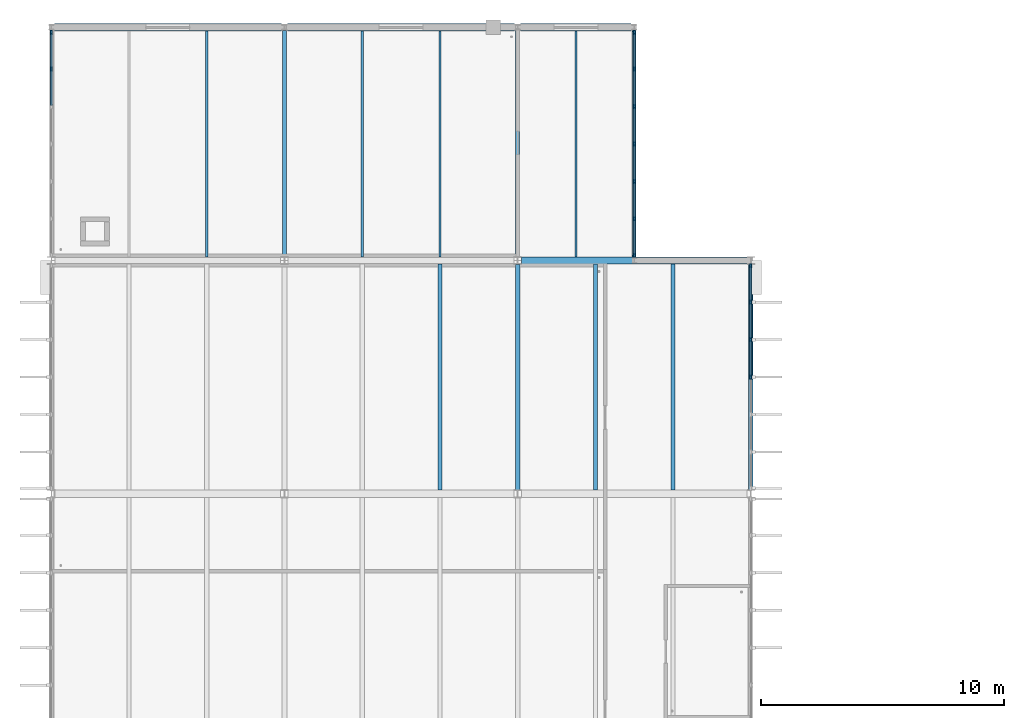
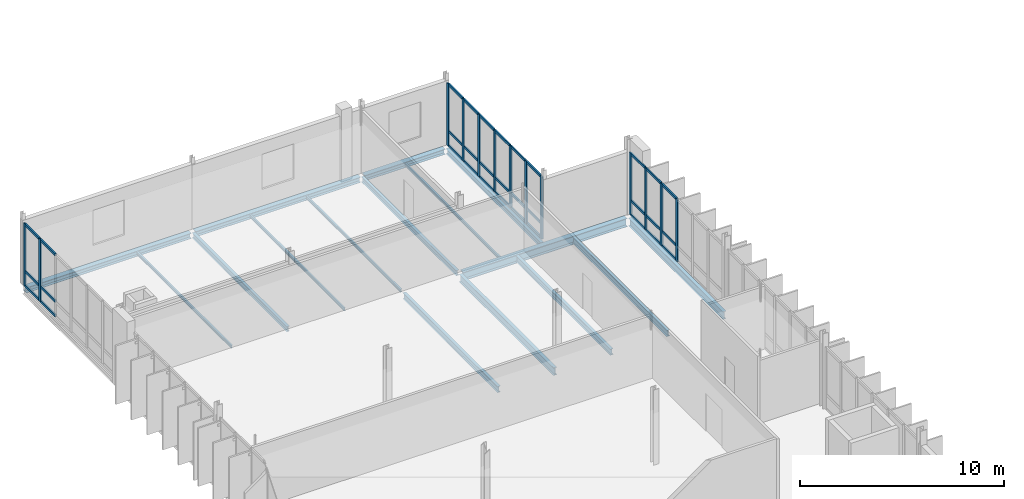
# One storey, part 42 of 110: 46 members, 16 beams, 3 elements without a shape of their own.
"""IFC4 building model written with IfcOpenShell, lengths in metres."""

from ifc_helpers import new_model, si_unit, direction, frame, origin, origin_2d, place, context, subcontext, project, spatial, rectangle, i_section, extrude, material, material_profile, profile_set, type_object, element, aggregate, save


model = new_model("IFC4")

# Units and contexts
model_context = context("Model", 3, precision=1e-05, world=origin(), true_north=direction((0.0, 1.0)))
body_context = subcontext(model_context, "Body", "Model", "MODEL_VIEW")
ifc_project = project(units=[si_unit("LENGTHUNIT", "METRE"), si_unit("AREAUNIT", "SQUARE_METRE"), si_unit("VOLUMEUNIT", "CUBIC_METRE"), si_unit("PLANEANGLEUNIT", "RADIAN"), si_unit("MASSUNIT", "GRAM", prefix="KILO")], contexts=[model_context])

# Site, building, storey
site_placement = place(None, origin())
site = spatial("IfcSite", under=ifc_project, at=site_placement, CompositionType="ELEMENT")
building_placement = place(site_placement, origin())
building = spatial("IfcBuilding", under=site, at=building_placement, Name="Dunescarp Central Library", CompositionType="ELEMENT")
storey_placement = place(building_placement, frame((0.0, 0.0, 9.60009765625)))
storey = spatial("IfcBuildingStorey", under=building, at=storey_placement, Name="L02", CompositionType="ELEMENT", Elevation=9.60009765625)

# Curtain wall, members
ifc_material_1 = material(Name="Marine-grade anodised aluminium 6063-T6", Category="aluminium")
curtain_wall_type = type_object("IfcCurtainWallType", Name="ARC-CW-STICK", PredefinedType="NOTDEFINED", material=ifc_material_1)
curtain_wall_1_placement = place(storey_placement, origin())
curtain_wall_1 = element("IfcCurtainWall", 1, at=curtain_wall_1_placement, inside=storey, type_object=curtain_wall_type, Name="L02 curtain wall CW-V4-129", PredefinedType="NOTDEFINED")
ifc_material_profile_1 = material_profile(ifc_material_1, rectangle(XDim=0.080078125, YDim=0.179931640625, at=origin_2d()), Name="AL 80x180")
ifc_profile_set_1 = profile_set([ifc_material_profile_1], Name="Marine-grade anodised aluminium 6063-T6")
member_type_1 = type_object("IfcMemberType", Name="ARC-CWM-180", PredefinedType="MULLION", material=ifc_profile_set_1)
member_1_placement = place(storey_placement, frame((28.800048828125, 89.385009765625, 0.0), z_axis=(0.0, 0.0, 1.0), x_axis=(1.0, 0.0, 0.0)))
member_1 = element("IfcMember", 2, at=member_1_placement, type_object=member_type_1, Name="CW-V4-129 mullion 1", PredefinedType="MULLION", context=body_context, shape_type="SweptSolid", body=[
    extrude(rectangle(XDim=0.080078125, YDim=0.179931640625, at=origin_2d()), origin(), (0.0, 0.0, 1.0), 3.73486328125),
])
member_2_placement = place(storey_placement, frame((28.800048828125, 87.88330078125, 0.0), z_axis=(0.0, 0.0, 1.0), x_axis=(1.0, 0.0, 0.0)))
member_2 = element("IfcMember", 3, at=member_2_placement, type_object=member_type_1, Name="CW-V4-129 mullion 2", PredefinedType="MULLION", context=body_context, shape_type="SweptSolid", body=[
    extrude(rectangle(XDim=0.080078125, YDim=0.179931640625, at=origin_2d()), origin(), (0.0, 0.0, 1.0), 3.73486328125),
])
member_3_placement = place(storey_placement, frame((28.800048828125, 86.341552734375, 0.0), z_axis=(0.0, 0.0, 1.0), x_axis=(1.0, 0.0, 0.0)))
member_3 = element("IfcMember", 4, at=member_3_placement, type_object=member_type_1, Name="CW-V4-129 mullion 3", PredefinedType="MULLION", context=body_context, shape_type="SweptSolid", body=[
    extrude(rectangle(XDim=0.080078125, YDim=0.179931640625, at=origin_2d()), origin(), (0.0, 0.0, 1.0), 3.73486328125),
])
member_4_placement = place(storey_placement, frame((28.800048828125, 84.800048828125, 0.0), z_axis=(0.0, 0.0, 1.0), x_axis=(1.0, 0.0, 0.0)))
member_4 = element("IfcMember", 5, at=member_4_placement, type_object=member_type_1, Name="CW-V4-129 mullion 4", PredefinedType="MULLION", context=body_context, shape_type="SweptSolid", body=[
    extrude(rectangle(XDim=0.080078125, YDim=0.179931640625, at=origin_2d()), origin(), (0.0, 0.0, 1.0), 3.73486328125),
])

curtain_wall_2_placement = place(storey_placement, origin())
curtain_wall_2 = element("IfcCurtainWall", 6, at=curtain_wall_2_placement, inside=storey, type_object=curtain_wall_type, Name="L02 curtain wall CW-V4N-144", PredefinedType="NOTDEFINED")
member_5_placement = place(storey_placement, frame((0.0, 97.4833984375, 0.0), z_axis=(0.0, 0.0, 1.0), x_axis=(-1.0, 0.0, 0.0)))
member_5 = element("IfcMember", 7, at=member_5_placement, type_object=member_type_1, Name="CW-V4N-144 mullion 6", PredefinedType="MULLION", context=body_context, shape_type="SweptSolid", body=[
    extrude(rectangle(XDim=0.080078125, YDim=0.179931640625, at=origin_2d()), origin(), (0.0, 0.0, 1.0), 3.73486328125),
])
member_6_placement = place(storey_placement, frame((0.0, 98.985107421875, 0.0), z_axis=(0.0, 0.0, 1.0), x_axis=(-1.0, 0.0, 0.0)))
member_6 = element("IfcMember", 8, at=member_6_placement, type_object=member_type_1, Name="CW-V4N-144 mullion 7", PredefinedType="MULLION", context=body_context, shape_type="SweptSolid", body=[
    extrude(rectangle(XDim=0.080078125, YDim=0.179931640625, at=origin_2d()), origin(), (0.0, 0.0, 1.0), 3.73486328125),
])

curtain_wall_3_placement = place(storey_placement, origin())
curtain_wall_3 = element("IfcCurtainWall", 9, at=curtain_wall_3_placement, inside=storey, type_object=curtain_wall_type, Name="L02 curtain wall CW-V4N-145", PredefinedType="NOTDEFINED")
member_7_placement = place(storey_placement, frame((24.0, 98.985107421875, 0.0), z_axis=(0.0, 0.0, 1.0), x_axis=(1.0, 0.0, 0.0)))
member_7 = element("IfcMember", 10, at=member_7_placement, type_object=member_type_1, Name="CW-V4N-145 mullion 1", PredefinedType="MULLION", context=body_context, shape_type="SweptSolid", body=[
    extrude(rectangle(XDim=0.080078125, YDim=0.179931640625, at=origin_2d()), origin(), (0.0, 0.0, 1.0), 3.73486328125),
])
member_8_placement = place(storey_placement, frame((24.0, 97.4833984375, 0.0), z_axis=(0.0, 0.0, 1.0), x_axis=(1.0, 0.0, 0.0)))
member_8 = element("IfcMember", 11, at=member_8_placement, type_object=member_type_1, Name="CW-V4N-145 mullion 2", PredefinedType="MULLION", context=body_context, shape_type="SweptSolid", body=[
    extrude(rectangle(XDim=0.080078125, YDim=0.179931640625, at=origin_2d()), origin(), (0.0, 0.0, 1.0), 3.73486328125),
])
member_9_placement = place(storey_placement, frame((24.0, 95.941650390625, 0.0), z_axis=(0.0, 0.0, 1.0), x_axis=(1.0, 0.0, 0.0)))
member_9 = element("IfcMember", 12, at=member_9_placement, type_object=member_type_1, Name="CW-V4N-145 mullion 3", PredefinedType="MULLION", context=body_context, shape_type="SweptSolid", body=[
    extrude(rectangle(XDim=0.080078125, YDim=0.179931640625, at=origin_2d()), origin(), (0.0, 0.0, 1.0), 3.73486328125),
])
member_10_placement = place(storey_placement, frame((24.0, 94.39990234375, 0.0), z_axis=(0.0, 0.0, 1.0), x_axis=(1.0, 0.0, 0.0)))
member_10 = element("IfcMember", 13, at=member_10_placement, type_object=member_type_1, Name="CW-V4N-145 mullion 4", PredefinedType="MULLION", context=body_context, shape_type="SweptSolid", body=[
    extrude(rectangle(XDim=0.080078125, YDim=0.179931640625, at=origin_2d()), origin(), (0.0, 0.0, 1.0), 3.73486328125),
])
member_11_placement = place(storey_placement, frame((24.0, 92.8583984375, 0.0), z_axis=(0.0, 0.0, 1.0), x_axis=(1.0, 0.0, 0.0)))
member_11 = element("IfcMember", 14, at=member_11_placement, type_object=member_type_1, Name="CW-V4N-145 mullion 5", PredefinedType="MULLION", context=body_context, shape_type="SweptSolid", body=[
    extrude(rectangle(XDim=0.080078125, YDim=0.179931640625, at=origin_2d()), origin(), (0.0, 0.0, 1.0), 3.73486328125),
])
member_12_placement = place(storey_placement, frame((24.0, 91.316650390625, 0.0), z_axis=(0.0, 0.0, 1.0), x_axis=(1.0, 0.0, 0.0)))
member_12 = element("IfcMember", 15, at=member_12_placement, type_object=member_type_1, Name="CW-V4N-145 mullion 6", PredefinedType="MULLION", context=body_context, shape_type="SweptSolid", body=[
    extrude(rectangle(XDim=0.080078125, YDim=0.179931640625, at=origin_2d()), origin(), (0.0, 0.0, 1.0), 3.73486328125),
])
member_13_placement = place(storey_placement, frame((24.0, 89.81494140625, 0.0), z_axis=(0.0, 0.0, 1.0), x_axis=(1.0, 0.0, 0.0)))
member_13 = element("IfcMember", 16, at=member_13_placement, type_object=member_type_1, Name="CW-V4N-145 mullion 7", PredefinedType="MULLION", context=body_context, shape_type="SweptSolid", body=[
    extrude(rectangle(XDim=0.080078125, YDim=0.179931640625, at=origin_2d()), origin(), (0.0, 0.0, 1.0), 3.73486328125),
])

# Member
ifc_material_profile_2 = material_profile(ifc_material_1, rectangle(XDim=0.080078125, YDim=0.14990234375, at=origin_2d()), Name="AL 80x150")
ifc_profile_set_2 = profile_set([ifc_material_profile_2], Name="Marine-grade anodised aluminium 6063-T6")
member_type_2 = type_object("IfcMemberType", Name="ARC-CWT-150", PredefinedType="USERDEFINED", material=ifc_profile_set_2)
member_14_placement = place(storey_placement, frame((28.800048828125, 89.344970703125, 0.039794921875), z_axis=(0.0, -1.0, 0.0), x_axis=(1.0, 0.0, 0.0)))
member_14 = element("IfcMember", 17, at=member_14_placement, type_object=member_type_2, Name="CW-V4-129 transom 1.1", ObjectType="TRANSOM", PredefinedType="USERDEFINED", context=body_context, shape_type="SweptSolid", body=[
    extrude(rectangle(XDim=0.080078125, YDim=0.14990234375, at=origin_2d()), origin(), (0.0, 0.0, 1.0), 1.421630859375),
])

member_15_placement = place(storey_placement, frame((28.800048828125, 89.344970703125, 0.89990234375), z_axis=(0.0, -1.0, 0.0), x_axis=(1.0, 0.0, 0.0)))
member_15 = element("IfcMember", 18, at=member_15_placement, type_object=member_type_2, Name="CW-V4-129 transom 1.2", ObjectType="TRANSOM", PredefinedType="USERDEFINED", context=body_context, shape_type="SweptSolid", body=[
    extrude(rectangle(XDim=0.080078125, YDim=0.14990234375, at=origin_2d()), origin(), (0.0, 0.0, 1.0), 1.421630859375),
])

member_16_placement = place(storey_placement, frame((28.800048828125, 89.344970703125, 3.69482421875), z_axis=(0.0, -1.0, 0.0), x_axis=(1.0, 0.0, 0.0)))
member_16 = element("IfcMember", 19, at=member_16_placement, type_object=member_type_2, Name="CW-V4-129 transom 1.3", ObjectType="TRANSOM", PredefinedType="USERDEFINED", context=body_context, shape_type="SweptSolid", body=[
    extrude(rectangle(XDim=0.080078125, YDim=0.14990234375, at=origin_2d()), origin(), (0.0, 0.0, 1.0), 1.421630859375),
])

member_17_placement = place(storey_placement, frame((28.800048828125, 87.84326171875, 0.039794921875), z_axis=(0.0, -1.0, 0.0), x_axis=(1.0, 0.0, 0.0)))
member_17 = element("IfcMember", 20, at=member_17_placement, type_object=member_type_2, Name="CW-V4-129 transom 2.1", ObjectType="TRANSOM", PredefinedType="USERDEFINED", context=body_context, shape_type="SweptSolid", body=[
    extrude(rectangle(XDim=0.080078125, YDim=0.14990234375, at=origin_2d()), origin(), (0.0, 0.0, 1.0), 1.461669921875),
])

member_18_placement = place(storey_placement, frame((28.800048828125, 87.84326171875, 0.89990234375), z_axis=(0.0, -1.0, 0.0), x_axis=(1.0, 0.0, 0.0)))
member_18 = element("IfcMember", 21, at=member_18_placement, type_object=member_type_2, Name="CW-V4-129 transom 2.2", ObjectType="TRANSOM", PredefinedType="USERDEFINED", context=body_context, shape_type="SweptSolid", body=[
    extrude(rectangle(XDim=0.080078125, YDim=0.14990234375, at=origin_2d()), origin(), (0.0, 0.0, 1.0), 1.461669921875),
])

member_19_placement = place(storey_placement, frame((28.800048828125, 87.84326171875, 3.69482421875), z_axis=(0.0, -1.0, 0.0), x_axis=(1.0, 0.0, 0.0)))
member_19 = element("IfcMember", 22, at=member_19_placement, type_object=member_type_2, Name="CW-V4-129 transom 2.3", ObjectType="TRANSOM", PredefinedType="USERDEFINED", context=body_context, shape_type="SweptSolid", body=[
    extrude(rectangle(XDim=0.080078125, YDim=0.14990234375, at=origin_2d()), origin(), (0.0, 0.0, 1.0), 1.461669921875),
])

member_20_placement = place(storey_placement, frame((28.800048828125, 86.3017578125, 0.039794921875), z_axis=(0.0, -1.0, 0.0), x_axis=(1.0, 0.0, 0.0)))
member_20 = element("IfcMember", 23, at=member_20_placement, type_object=member_type_2, Name="CW-V4-129 transom 3.1", ObjectType="TRANSOM", PredefinedType="USERDEFINED", context=body_context, shape_type="SweptSolid", body=[
    extrude(rectangle(XDim=0.080078125, YDim=0.14990234375, at=origin_2d()), origin(), (0.0, 0.0, 1.0), 1.461669921875),
])

member_21_placement = place(storey_placement, frame((28.800048828125, 86.3017578125, 0.89990234375), z_axis=(0.0, -1.0, 0.0), x_axis=(1.0, 0.0, 0.0)))
member_21 = element("IfcMember", 24, at=member_21_placement, type_object=member_type_2, Name="CW-V4-129 transom 3.2", ObjectType="TRANSOM", PredefinedType="USERDEFINED", context=body_context, shape_type="SweptSolid", body=[
    extrude(rectangle(XDim=0.080078125, YDim=0.14990234375, at=origin_2d()), origin(), (0.0, 0.0, 1.0), 1.461669921875),
])

member_22_placement = place(storey_placement, frame((28.800048828125, 86.3017578125, 3.69482421875), z_axis=(0.0, -1.0, 0.0), x_axis=(1.0, 0.0, 0.0)))
member_22 = element("IfcMember", 25, at=member_22_placement, type_object=member_type_2, Name="CW-V4-129 transom 3.3", ObjectType="TRANSOM", PredefinedType="USERDEFINED", context=body_context, shape_type="SweptSolid", body=[
    extrude(rectangle(XDim=0.080078125, YDim=0.14990234375, at=origin_2d()), origin(), (0.0, 0.0, 1.0), 1.461669921875),
])

aggregate(curtain_wall_1, [member_1, member_2, member_3, member_4, member_14, member_15, member_16, member_17, member_18, member_19, member_20, member_21, member_22])

member_23_placement = place(storey_placement, frame((0.0, 95.981689453125, 0.039794921875), z_axis=(0.0, 1.0, 0.0), x_axis=(-1.0, 0.0, 0.0)))
member_23 = element("IfcMember", 26, at=member_23_placement, type_object=member_type_2, Name="CW-V4N-144 transom 5.1", ObjectType="TRANSOM", PredefinedType="USERDEFINED", context=body_context, shape_type="SweptSolid", body=[
    extrude(rectangle(XDim=0.080078125, YDim=0.14990234375, at=origin_2d()), origin(), (0.0, 0.0, 1.0), 1.461669921875),
])

member_24_placement = place(storey_placement, frame((0.0, 95.981689453125, 0.89990234375), z_axis=(0.0, 1.0, 0.0), x_axis=(-1.0, 0.0, 0.0)))
member_24 = element("IfcMember", 27, at=member_24_placement, type_object=member_type_2, Name="CW-V4N-144 transom 5.2", ObjectType="TRANSOM", PredefinedType="USERDEFINED", context=body_context, shape_type="SweptSolid", body=[
    extrude(rectangle(XDim=0.080078125, YDim=0.14990234375, at=origin_2d()), origin(), (0.0, 0.0, 1.0), 1.461669921875),
])

member_25_placement = place(storey_placement, frame((0.0, 95.981689453125, 3.69482421875), z_axis=(0.0, 1.0, 0.0), x_axis=(-1.0, 0.0, 0.0)))
member_25 = element("IfcMember", 28, at=member_25_placement, type_object=member_type_2, Name="CW-V4N-144 transom 5.3", ObjectType="TRANSOM", PredefinedType="USERDEFINED", context=body_context, shape_type="SweptSolid", body=[
    extrude(rectangle(XDim=0.080078125, YDim=0.14990234375, at=origin_2d()), origin(), (0.0, 0.0, 1.0), 1.461669921875),
])

member_26_placement = place(storey_placement, frame((0.0, 97.5234375, 0.039794921875), z_axis=(0.0, 1.0, 0.0), x_axis=(-1.0, 0.0, 0.0)))
member_26 = element("IfcMember", 29, at=member_26_placement, type_object=member_type_2, Name="CW-V4N-144 transom 6.1", ObjectType="TRANSOM", PredefinedType="USERDEFINED", context=body_context, shape_type="SweptSolid", body=[
    extrude(rectangle(XDim=0.080078125, YDim=0.14990234375, at=origin_2d()), origin(), (0.0, 0.0, 1.0), 1.421630859375),
])

member_27_placement = place(storey_placement, frame((0.0, 97.5234375, 0.89990234375), z_axis=(0.0, 1.0, 0.0), x_axis=(-1.0, 0.0, 0.0)))
member_27 = element("IfcMember", 30, at=member_27_placement, type_object=member_type_2, Name="CW-V4N-144 transom 6.2", ObjectType="TRANSOM", PredefinedType="USERDEFINED", context=body_context, shape_type="SweptSolid", body=[
    extrude(rectangle(XDim=0.080078125, YDim=0.14990234375, at=origin_2d()), origin(), (0.0, 0.0, 1.0), 1.421630859375),
])

member_28_placement = place(storey_placement, frame((0.0, 97.5234375, 3.69482421875), z_axis=(0.0, 1.0, 0.0), x_axis=(-1.0, 0.0, 0.0)))
member_28 = element("IfcMember", 31, at=member_28_placement, type_object=member_type_2, Name="CW-V4N-144 transom 6.3", ObjectType="TRANSOM", PredefinedType="USERDEFINED", context=body_context, shape_type="SweptSolid", body=[
    extrude(rectangle(XDim=0.080078125, YDim=0.14990234375, at=origin_2d()), origin(), (0.0, 0.0, 1.0), 1.421630859375),
])

aggregate(curtain_wall_2, [member_5, member_6, member_23, member_24, member_25, member_26, member_27, member_28])

member_29_placement = place(storey_placement, frame((24.0, 98.945068359375, 0.039794921875), z_axis=(0.0, -1.0, 0.0), x_axis=(1.0, 0.0, 0.0)))
member_29 = element("IfcMember", 32, at=member_29_placement, type_object=member_type_2, Name="CW-V4N-145 transom 1.1", ObjectType="TRANSOM", PredefinedType="USERDEFINED", context=body_context, shape_type="SweptSolid", body=[
    extrude(rectangle(XDim=0.080078125, YDim=0.14990234375, at=origin_2d()), origin(), (0.0, 0.0, 1.0), 1.421630859375),
])

member_30_placement = place(storey_placement, frame((24.0, 98.945068359375, 0.89990234375), z_axis=(0.0, -1.0, 0.0), x_axis=(1.0, 0.0, 0.0)))
member_30 = element("IfcMember", 33, at=member_30_placement, type_object=member_type_2, Name="CW-V4N-145 transom 1.2", ObjectType="TRANSOM", PredefinedType="USERDEFINED", context=body_context, shape_type="SweptSolid", body=[
    extrude(rectangle(XDim=0.080078125, YDim=0.14990234375, at=origin_2d()), origin(), (0.0, 0.0, 1.0), 1.421630859375),
])

member_31_placement = place(storey_placement, frame((24.0, 98.945068359375, 3.69482421875), z_axis=(0.0, -1.0, 0.0), x_axis=(1.0, 0.0, 0.0)))
member_31 = element("IfcMember", 34, at=member_31_placement, type_object=member_type_2, Name="CW-V4N-145 transom 1.3", ObjectType="TRANSOM", PredefinedType="USERDEFINED", context=body_context, shape_type="SweptSolid", body=[
    extrude(rectangle(XDim=0.080078125, YDim=0.14990234375, at=origin_2d()), origin(), (0.0, 0.0, 1.0), 1.421630859375),
])

member_32_placement = place(storey_placement, frame((24.0, 97.443359375, 0.039794921875), z_axis=(0.0, -1.0, 0.0), x_axis=(1.0, 0.0, 0.0)))
member_32 = element("IfcMember", 35, at=member_32_placement, type_object=member_type_2, Name="CW-V4N-145 transom 2.1", ObjectType="TRANSOM", PredefinedType="USERDEFINED", context=body_context, shape_type="SweptSolid", body=[
    extrude(rectangle(XDim=0.080078125, YDim=0.14990234375, at=origin_2d()), origin(), (0.0, 0.0, 1.0), 1.461669921875),
])

member_33_placement = place(storey_placement, frame((24.0, 97.443359375, 0.89990234375), z_axis=(0.0, -1.0, 0.0), x_axis=(1.0, 0.0, 0.0)))
member_33 = element("IfcMember", 36, at=member_33_placement, type_object=member_type_2, Name="CW-V4N-145 transom 2.2", ObjectType="TRANSOM", PredefinedType="USERDEFINED", context=body_context, shape_type="SweptSolid", body=[
    extrude(rectangle(XDim=0.080078125, YDim=0.14990234375, at=origin_2d()), origin(), (0.0, 0.0, 1.0), 1.461669921875),
])

member_34_placement = place(storey_placement, frame((24.0, 97.443359375, 3.69482421875), z_axis=(0.0, -1.0, 0.0), x_axis=(1.0, 0.0, 0.0)))
member_34 = element("IfcMember", 37, at=member_34_placement, type_object=member_type_2, Name="CW-V4N-145 transom 2.3", ObjectType="TRANSOM", PredefinedType="USERDEFINED", context=body_context, shape_type="SweptSolid", body=[
    extrude(rectangle(XDim=0.080078125, YDim=0.14990234375, at=origin_2d()), origin(), (0.0, 0.0, 1.0), 1.461669921875),
])

member_35_placement = place(storey_placement, frame((24.0, 95.901611328125, 0.039794921875), z_axis=(0.0, -1.0, 0.0), x_axis=(1.0, 0.0, 0.0)))
member_35 = element("IfcMember", 38, at=member_35_placement, type_object=member_type_2, Name="CW-V4N-145 transom 3.1", ObjectType="TRANSOM", PredefinedType="USERDEFINED", context=body_context, shape_type="SweptSolid", body=[
    extrude(rectangle(XDim=0.080078125, YDim=0.14990234375, at=origin_2d()), origin(), (0.0, 0.0, 1.0), 1.461669921875),
])

member_36_placement = place(storey_placement, frame((24.0, 95.901611328125, 0.89990234375), z_axis=(0.0, -1.0, 0.0), x_axis=(1.0, 0.0, 0.0)))
member_36 = element("IfcMember", 39, at=member_36_placement, type_object=member_type_2, Name="CW-V4N-145 transom 3.2", ObjectType="TRANSOM", PredefinedType="USERDEFINED", context=body_context, shape_type="SweptSolid", body=[
    extrude(rectangle(XDim=0.080078125, YDim=0.14990234375, at=origin_2d()), origin(), (0.0, 0.0, 1.0), 1.461669921875),
])

member_37_placement = place(storey_placement, frame((24.0, 95.901611328125, 3.69482421875), z_axis=(0.0, -1.0, 0.0), x_axis=(1.0, 0.0, 0.0)))
member_37 = element("IfcMember", 40, at=member_37_placement, type_object=member_type_2, Name="CW-V4N-145 transom 3.3", ObjectType="TRANSOM", PredefinedType="USERDEFINED", context=body_context, shape_type="SweptSolid", body=[
    extrude(rectangle(XDim=0.080078125, YDim=0.14990234375, at=origin_2d()), origin(), (0.0, 0.0, 1.0), 1.461669921875),
])

member_38_placement = place(storey_placement, frame((24.0, 94.360107421875, 0.039794921875), z_axis=(0.0, -1.0, 0.0), x_axis=(1.0, 0.0, 0.0)))
member_38 = element("IfcMember", 41, at=member_38_placement, type_object=member_type_2, Name="CW-V4N-145 transom 4.1", ObjectType="TRANSOM", PredefinedType="USERDEFINED", context=body_context, shape_type="SweptSolid", body=[
    extrude(rectangle(XDim=0.080078125, YDim=0.14990234375, at=origin_2d()), origin(), (0.0, 0.0, 1.0), 1.461669921875),
])

member_39_placement = place(storey_placement, frame((24.0, 94.360107421875, 0.89990234375), z_axis=(0.0, -1.0, 0.0), x_axis=(1.0, 0.0, 0.0)))
member_39 = element("IfcMember", 42, at=member_39_placement, type_object=member_type_2, Name="CW-V4N-145 transom 4.2", ObjectType="TRANSOM", PredefinedType="USERDEFINED", context=body_context, shape_type="SweptSolid", body=[
    extrude(rectangle(XDim=0.080078125, YDim=0.14990234375, at=origin_2d()), origin(), (0.0, 0.0, 1.0), 1.461669921875),
])

member_40_placement = place(storey_placement, frame((24.0, 94.360107421875, 3.69482421875), z_axis=(0.0, -1.0, 0.0), x_axis=(1.0, 0.0, 0.0)))
member_40 = element("IfcMember", 43, at=member_40_placement, type_object=member_type_2, Name="CW-V4N-145 transom 4.3", ObjectType="TRANSOM", PredefinedType="USERDEFINED", context=body_context, shape_type="SweptSolid", body=[
    extrude(rectangle(XDim=0.080078125, YDim=0.14990234375, at=origin_2d()), origin(), (0.0, 0.0, 1.0), 1.461669921875),
])

member_41_placement = place(storey_placement, frame((24.0, 92.818359375, 0.039794921875), z_axis=(0.0, -1.0, 0.0), x_axis=(1.0, 0.0, 0.0)))
member_41 = element("IfcMember", 44, at=member_41_placement, type_object=member_type_2, Name="CW-V4N-145 transom 5.1", ObjectType="TRANSOM", PredefinedType="USERDEFINED", context=body_context, shape_type="SweptSolid", body=[
    extrude(rectangle(XDim=0.080078125, YDim=0.14990234375, at=origin_2d()), origin(), (0.0, 0.0, 1.0), 1.461669921875),
])

member_42_placement = place(storey_placement, frame((24.0, 92.818359375, 0.89990234375), z_axis=(0.0, -1.0, 0.0), x_axis=(1.0, 0.0, 0.0)))
member_42 = element("IfcMember", 45, at=member_42_placement, type_object=member_type_2, Name="CW-V4N-145 transom 5.2", ObjectType="TRANSOM", PredefinedType="USERDEFINED", context=body_context, shape_type="SweptSolid", body=[
    extrude(rectangle(XDim=0.080078125, YDim=0.14990234375, at=origin_2d()), origin(), (0.0, 0.0, 1.0), 1.461669921875),
])

member_43_placement = place(storey_placement, frame((24.0, 92.818359375, 3.69482421875), z_axis=(0.0, -1.0, 0.0), x_axis=(1.0, 0.0, 0.0)))
member_43 = element("IfcMember", 46, at=member_43_placement, type_object=member_type_2, Name="CW-V4N-145 transom 5.3", ObjectType="TRANSOM", PredefinedType="USERDEFINED", context=body_context, shape_type="SweptSolid", body=[
    extrude(rectangle(XDim=0.080078125, YDim=0.14990234375, at=origin_2d()), origin(), (0.0, 0.0, 1.0), 1.461669921875),
])

member_44_placement = place(storey_placement, frame((24.0, 91.276611328125, 0.039794921875), z_axis=(0.0, -1.0, 0.0), x_axis=(1.0, 0.0, 0.0)))
member_44 = element("IfcMember", 47, at=member_44_placement, type_object=member_type_2, Name="CW-V4N-145 transom 6.1", ObjectType="TRANSOM", PredefinedType="USERDEFINED", context=body_context, shape_type="SweptSolid", body=[
    extrude(rectangle(XDim=0.080078125, YDim=0.14990234375, at=origin_2d()), origin(), (0.0, 0.0, 1.0), 1.421630859375),
])

member_45_placement = place(storey_placement, frame((24.0, 91.276611328125, 0.89990234375), z_axis=(0.0, -1.0, 0.0), x_axis=(1.0, 0.0, 0.0)))
member_45 = element("IfcMember", 48, at=member_45_placement, type_object=member_type_2, Name="CW-V4N-145 transom 6.2", ObjectType="TRANSOM", PredefinedType="USERDEFINED", context=body_context, shape_type="SweptSolid", body=[
    extrude(rectangle(XDim=0.080078125, YDim=0.14990234375, at=origin_2d()), origin(), (0.0, 0.0, 1.0), 1.421630859375),
])

member_46_placement = place(storey_placement, frame((24.0, 91.276611328125, 3.69482421875), z_axis=(0.0, -1.0, 0.0), x_axis=(1.0, 0.0, 0.0)))
member_46 = element("IfcMember", 49, at=member_46_placement, type_object=member_type_2, Name="CW-V4N-145 transom 6.3", ObjectType="TRANSOM", PredefinedType="USERDEFINED", context=body_context, shape_type="SweptSolid", body=[
    extrude(rectangle(XDim=0.080078125, YDim=0.14990234375, at=origin_2d()), origin(), (0.0, 0.0, 1.0), 1.421630859375),
])

aggregate(curtain_wall_3, [member_7, member_8, member_9, member_10, member_11, member_12, member_13, member_29, member_30, member_31, member_32, member_33, member_34, member_35, member_36, member_37, member_38, member_39, member_40, member_41, member_42, member_43, member_44, member_45, member_46])

# Beams
ifc_material_2 = material(Name="Steel S355JR", Category="steel")
ifc_material_profile_3 = material_profile(ifc_material_2, i_section(OverallWidth=0.300048828125, OverallDepth=0.320068359375, WebThickness=0.011474609375, FlangeThickness=0.0205078125, at=origin_2d()), Name="HEB 320")
ifc_profile_set_3 = profile_set([ifc_material_profile_3], Name="Steel S355JR")
beam_type_1 = type_object("IfcBeamType", Name="STR-BM-HEB320", PredefinedType="BEAM", material=ifc_profile_set_3)
beam_1_placement = place(storey_placement, frame((0.125, 99.199951171875, -0.3701171875), z_axis=(1.0, 0.0, 0.0), x_axis=(0.0, 1.0, 0.0)))
element("IfcBeam", 50, at=beam_1_placement, inside=storey, type_object=beam_type_1, Name="L02 girder BM-L02-1322", PredefinedType="BEAM", context=body_context, shape_type="SweptSolid", body=[
    extrude(i_section(OverallWidth=0.300048828125, OverallDepth=0.320068359375, WebThickness=0.011474609375, FlangeThickness=0.0205078125, at=origin_2d()), origin(), (0.0, 0.0, 1.0), 9.35009765625),
])
beam_2_placement = place(storey_placement, frame((9.72509765625, 99.199951171875, -0.3701171875), z_axis=(1.0, 0.0, 0.0), x_axis=(0.0, 1.0, 0.0)))
element("IfcBeam", 51, at=beam_2_placement, inside=storey, type_object=beam_type_1, Name="L02 girder BM-L02-1327", PredefinedType="BEAM", context=body_context, shape_type="SweptSolid", body=[
    extrude(i_section(OverallWidth=0.300048828125, OverallDepth=0.320068359375, WebThickness=0.011474609375, FlangeThickness=0.0205078125, at=origin_2d()), origin(), (0.0, 0.0, 1.0), 9.349853515625),
])
beam_3_placement = place(storey_placement, frame((19.324951171875, 99.199951171875, -0.3701171875), z_axis=(1.0, 0.0, 0.0), x_axis=(0.0, 1.0, 0.0)))
element("IfcBeam", 52, at=beam_3_placement, inside=storey, type_object=beam_type_1, Name="L02 girder BM-L02-1331", PredefinedType="BEAM", context=body_context, shape_type="SweptSolid", body=[
    extrude(i_section(OverallWidth=0.300048828125, OverallDepth=0.320068359375, WebThickness=0.011474609375, FlangeThickness=0.0205078125, at=origin_2d()), origin(), (0.0, 0.0, 1.0), 4.550048828125),
])
ifc_material_profile_4 = material_profile(ifc_material_2, i_section(OverallWidth=0.300048828125, OverallDepth=0.5, WebThickness=0.014404296875, FlangeThickness=0.028076171875, at=origin_2d()), Name="HEB 500")
ifc_profile_set_4 = profile_set([ifc_material_profile_4], Name="Steel S355JR")
beam_type_2 = type_object("IfcBeamType", Name="STR-BM-HEB500", PredefinedType="BEAM", material=ifc_profile_set_4)
beam_4_placement = place(storey_placement, frame((19.35302734375, 89.60009765625, -0.460205078125), z_axis=(1.0, 0.0, 0.0), x_axis=(0.0, 1.0, 0.0)))
element("IfcBeam", 53, at=beam_4_placement, inside=storey, type_object=beam_type_2, Name="L02 girder BM-L02-1025", PredefinedType="BEAM", context=body_context, shape_type="SweptSolid", body=[
    extrude(i_section(OverallWidth=0.300048828125, OverallDepth=0.5, WebThickness=0.014404296875, FlangeThickness=0.028076171875, at=origin_2d()), origin(), (0.0, 0.0, 1.0), 9.2939453125),
])
ifc_material_profile_5 = material_profile(ifc_material_2, i_section(OverallWidth=0.1650390625, OverallDepth=0.303466796875, WebThickness=0.006103515625, FlangeThickness=0.01025390625, at=origin_2d()), Name="UB 305x165x40")
ifc_profile_set_5 = profile_set([ifc_material_profile_5], Name="Steel S355JR")
beam_type_3 = type_object("IfcBeamType", Name="STR-BM-UB305X40", PredefinedType="BEAM", material=ifc_profile_set_5)
for number, where, z_axis, x_axis, name in (
    (54, (9.60009765625, 89.760986328125, -0.362060546875), (0.0, 1.0, 0.0), (-1.0, 0.0, 0.0), "L02 girder BM-L02-1324"),
    (55, (19.199951171875, 89.760986328125, -0.362060546875), (0.0, 1.0, 0.0), (-1.0, 0.0, 0.0), "L02 girder BM-L02-1328"),
):
    element("IfcBeam", number, at=place(storey_placement, frame(where, z_axis=z_axis, x_axis=x_axis)), inside=storey, type_object=beam_type_3, Name=name, PredefinedType="BEAM", context=body_context, shape_type="SweptSolid", body=[
        extrude(i_section(OverallWidth=0.1650390625, OverallDepth=0.303466796875, WebThickness=0.006103515625, FlangeThickness=0.01025390625, at=origin_2d()), origin(), (0.0, 0.0, 1.0), 9.31201171875),
    ])
beam_5_placement = place(storey_placement, frame((24.0, 89.72705078125, -0.362060546875), z_axis=(0.0, 1.0, 0.0), x_axis=(-1.0, 0.0, 0.0)))
element("IfcBeam", 56, at=beam_5_placement, inside=storey, type_object=beam_type_3, Name="L02 girder BM-L02-1332", PredefinedType="BEAM", context=body_context, shape_type="SweptSolid", body=[
    extrude(i_section(OverallWidth=0.1650390625, OverallDepth=0.303466796875, WebThickness=0.006103515625, FlangeThickness=0.01025390625, at=origin_2d()), origin(), (0.0, 0.0, 1.0), 9.345947265625),
])
ifc_material_profile_6 = material_profile(ifc_material_2, i_section(OverallWidth=0.18994140625, OverallDepth=0.453369140625, WebThickness=0.008544921875, FlangeThickness=0.0126953125, at=origin_2d()), Name="UB 457x191x67")
ifc_profile_set_6 = profile_set([ifc_material_profile_6], Name="Steel S355JR")
beam_type_4 = type_object("IfcBeamType", Name="STR-BM-UB457", PredefinedType="BEAM", material=ifc_profile_set_6)
for number, where, z_axis, x_axis, name in (
    (57, (19.199951171875, 80.160888671875, -0.43701171875), (0.0, 1.0, 0.0), (-1.0, 0.0, 0.0), "L02 girder BM-L02-1013"),
    (58, (28.800048828125, 80.160888671875, -0.43701171875), (0.0, 1.0, 0.0), (-1.0, 0.0, 0.0), "L02 girder BM-L02-1026"),
):
    element("IfcBeam", number, at=place(storey_placement, frame(where, z_axis=z_axis, x_axis=x_axis)), inside=storey, type_object=beam_type_4, Name=name, PredefinedType="BEAM", context=body_context, shape_type="SweptSolid", body=[
        extrude(i_section(OverallWidth=0.18994140625, OverallDepth=0.453369140625, WebThickness=0.008544921875, FlangeThickness=0.0126953125, at=origin_2d()), origin(), (0.0, 0.0, 1.0), 9.278076171875),
    ])
ifc_material_profile_7 = material_profile(ifc_material_2, i_section(OverallWidth=0.091064453125, OverallDepth=0.179931640625, WebThickness=0.00537109375, FlangeThickness=0.008056640625, at=origin_2d()), Name="IPE 180")
ifc_profile_set_7 = profile_set([ifc_material_profile_7], Name="Steel S355JR")
beam_type_5 = type_object("IfcBeamType", Name="STR-JS-IPE180", PredefinedType="JOIST", material=ifc_profile_set_7)
for number, where, z_axis, x_axis, name in (
    (59, (6.39990234375, 89.748046875, -0.300048828125), (0.0, 1.0, 0.0), (-1.0, 0.0, 0.0), "L02 joist JS-L02-1326"),
    (60, (12.800048828125, 89.748046875, -0.300048828125), (0.0, 1.0, 0.0), (-1.0, 0.0, 0.0), "L02 joist JS-L02-1329"),
    (61, (16.0, 89.748046875, -0.300048828125), (0.0, 1.0, 0.0), (-1.0, 0.0, 0.0), "L02 joist JS-L02-1330"),
    (62, (21.60009765625, 89.748046875, -0.300048828125), (0.0, 1.0, 0.0), (-1.0, 0.0, 0.0), "L02 joist JS-L02-1333"),
):
    element("IfcBeam", number, at=place(storey_placement, frame(where, z_axis=z_axis, x_axis=x_axis)), inside=storey, type_object=beam_type_5, Name=name, PredefinedType="JOIST", context=body_context, shape_type="SweptSolid", body=[
        extrude(i_section(OverallWidth=0.091064453125, OverallDepth=0.179931640625, WebThickness=0.00537109375, FlangeThickness=0.008056640625, at=origin_2d()), origin(), (0.0, 0.0, 1.0), 9.303955078125),
    ])
ifc_material_profile_8 = material_profile(ifc_material_2, i_section(OverallWidth=0.169921875, OverallDepth=0.360107421875, WebThickness=0.008056640625, FlangeThickness=0.0126953125, at=origin_2d()), Name="IPE 360")
ifc_profile_set_8 = profile_set([ifc_material_profile_8], Name="Steel S355JR")
beam_type_6 = type_object("IfcBeamType", Name="STR-JS-IPE360", PredefinedType="JOIST", material=ifc_profile_set_8)
for number, where, z_axis, x_axis, name in (
    (63, (16.0, 80.14794921875, -0.39013671875), (0.0, 1.0, 0.0), (-1.0, 0.0, 0.0), "L02 joist JS-L02-1015"),
    (64, (22.39990234375, 80.14794921875, -0.39013671875), (0.0, 1.0, 0.0), (-1.0, 0.0, 0.0), "L02 joist JS-L02-1027"),
    (65, (25.60009765625, 80.14794921875, -0.39013671875), (0.0, 1.0, 0.0), (-1.0, 0.0, 0.0), "L02 joist JS-L02-1028"),
):
    element("IfcBeam", number, at=place(storey_placement, frame(where, z_axis=z_axis, x_axis=x_axis)), inside=storey, type_object=beam_type_6, Name=name, PredefinedType="JOIST", context=body_context, shape_type="SweptSolid", body=[
        extrude(i_section(OverallWidth=0.169921875, OverallDepth=0.360107421875, WebThickness=0.008056640625, FlangeThickness=0.0126953125, at=origin_2d()), origin(), (0.0, 0.0, 1.0), 9.303955078125),
    ])

save(model, "model.ifc")
